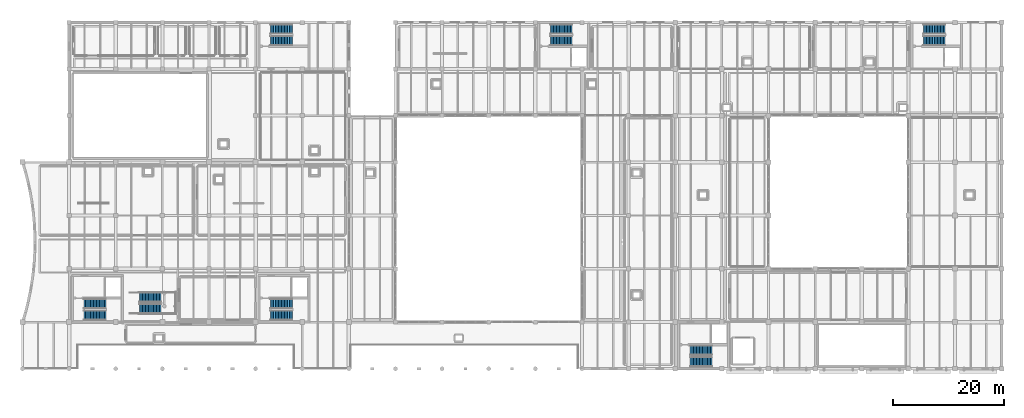
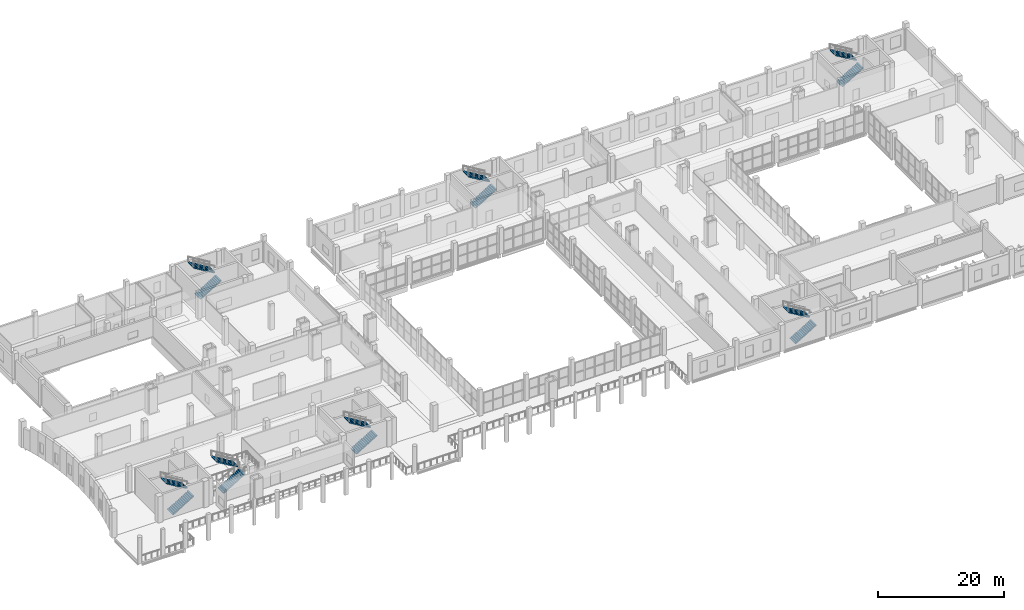
# One storey, part 53 of 66: 14 stair flights, 7 elements without a shape of their own.
"""IFC4 building model written with IfcOpenShell, lengths in metres."""

import ifcopenshell
import ifcopenshell.guid

model = None  # the IFC model being written
_history = None  # IfcOwnerHistory: only IFC2X3 demands one
_inside = {}  # id of a spatial element -> (the spatial element, [elements in it])
_under = {}  # id of a project, library or spatial element -> (it, [spatial elements below it])
_declared = {}  # id of a project -> (the project, [libraries it declares])
_typed = {}  # id of a type object -> (the type object, [elements of that type])
_made_of = {}  # id of a material, layer set ... -> (it, [elements and type objects made of it])


def new_model(schema):
    """Start an empty IFC model of exactly this schema.

    Asked for "IFC4X3", IfcOpenShell would pick the latest addendum, in which some entities
    have other attributes; the version numbers below select the first issue.
    IFC2X3 requires an IfcOwnerHistory on every rooted entity: one is made here for all.
    """
    global model, _history
    if schema == "IFC4X3":
        model = ifcopenshell.file(schema_version=(4, 3, 0, 0))
    else:
        model = ifcopenshell.file(schema=schema)
    _inside.clear()
    _under.clear()
    _declared.clear()
    _typed.clear()
    _made_of.clear()
    _history = None
    if model.schema == "IFC2X3":
        org = make("IfcOrganization", Name="unknown")
        user = make(
            "IfcPersonAndOrganization",
            ThePerson=make("IfcPerson", FamilyName="unknown"),
            TheOrganization=org,
        )
        app = make(
            "IfcApplication",
            ApplicationDeveloper=org,
            Version="unknown",
            ApplicationFullName="unknown",
            ApplicationIdentifier="unknown",
        )
        _history = make(
            "IfcOwnerHistory",
            OwningUser=user,
            OwningApplication=app,
            ChangeAction="ADDED",
            CreationDate=0,
        )
    return model


def make(cls, **values):
    """One entity of the class cls with the attributes given. An attribute that is None is left unset."""
    return model.create_entity(
        cls, **{name: value for name, value in values.items() if value is not None}
    )


def rooted(cls, **values):
    """An entity with a GlobalId (a new one), such as an element, a storey or a relation."""
    return make(cls, GlobalId=ifcopenshell.guid.new(), OwnerHistory=_history, **values)


def si_unit(unit_type, name, prefix=None):
    """IfcSIUnit, for example si_unit("LENGTHUNIT", "METRE", prefix="MILLI")."""
    return make("IfcSIUnit", UnitType=unit_type, Prefix=prefix, Name=name)


def assignment(units):
    """IfcUnitAssignment: the units of a project."""
    return None if units is None else make("IfcUnitAssignment", Units=units)


def point(xyz):
    """IfcCartesianPoint."""
    return None if xyz is None else make("IfcCartesianPoint", Coordinates=xyz)


def direction(xyz):
    """IfcDirection."""
    return None if xyz is None else make("IfcDirection", DirectionRatios=xyz)


def frame(location, z_axis=None, x_axis=None):
    """IfcAxis2Placement3D, a coordinate frame: its origin and axes. An axis left out is left unset."""
    return make(
        "IfcAxis2Placement3D",
        Location=point(location),
        Axis=direction(z_axis),
        RefDirection=direction(x_axis),
    )


def origin():
    """The frame at (0, 0, 0) with its axes left unset."""
    return frame((0.0, 0.0, 0.0))


def place(relative_to, where):
    """IfcLocalPlacement: puts the frame where relative to a parent placement (None: the world)."""
    return make(
        "IfcLocalPlacement", PlacementRelTo=relative_to, RelativePlacement=where
    )


def context(
    kind, dimensions, precision=None, world=None, true_north=None, identifier=None
):
    """IfcGeometricRepresentationContext, for example the 3D "Model" context."""
    return make(
        "IfcGeometricRepresentationContext",
        ContextIdentifier=identifier,
        ContextType=kind,
        CoordinateSpaceDimension=dimensions,
        Precision=precision,
        WorldCoordinateSystem=world,
        TrueNorth=true_north,
    )


def subcontext(parent, identifier, kind, view, scale=None):
    """IfcGeometricRepresentationSubContext, for example "Body" below "Model"."""
    return make(
        "IfcGeometricRepresentationSubContext",
        ContextIdentifier=identifier,
        ContextType=kind,
        ParentContext=parent,
        TargetScale=scale,
        TargetView=view,
    )


def project(units=None, contexts=None):
    """IfcProject with its units and contexts."""
    return rooted(
        "IfcProject",
        Name="project",
        RepresentationContexts=contexts,
        UnitsInContext=assignment(units),
    )


def spatial(cls, under=None, at=None, **own):
    """A site, building, storey or space (cls), placed at a placement, below another one or the project."""
    s = rooted(cls, ObjectPlacement=at, **own)
    if under is not None:
        _under.setdefault(under.id(), (under, []))[1].append(s)
    return s


def polyline(points):
    """IfcPolyline through the points."""
    return make("IfcPolyline", Points=[point(p) for p in points])


def outline(outer, holes=None, kind="AREA"):
    """IfcArbitraryClosedProfileDef: a profile drawn as a closed curve; with holes, ...WithVoids."""
    if holes is None:
        return make("IfcArbitraryClosedProfileDef", ProfileType=kind, OuterCurve=outer)
    return make(
        "IfcArbitraryProfileDefWithVoids",
        ProfileType=kind,
        OuterCurve=outer,
        InnerCurves=holes,
    )


def extrude(swept, where, along, depth):
    """IfcExtrudedAreaSolid: the profile swept, set in the frame where, extruded along a direction by depth."""
    return make(
        "IfcExtrudedAreaSolid",
        SweptArea=swept,
        Position=where,
        ExtrudedDirection=direction(along),
        Depth=depth,
    )


def shape(context_of_items, identifier, shape_type, items):
    """IfcShapeRepresentation: the items that make up one representation, for example the "Body"."""
    return make(
        "IfcShapeRepresentation",
        ContextOfItems=context_of_items,
        RepresentationIdentifier=identifier,
        RepresentationType=shape_type,
        Items=items,
    )


def material(Name=None, Category=None):
    """IfcMaterial."""
    return make("IfcMaterial", Name=Name, Category=Category)


def made_of(thing, what):
    """Note that an element or type object is made of a material, layer set ...; save() writes the relation."""
    if what is not None:
        _made_of.setdefault(what.id(), (what, []))[1].append(thing)
    return thing


def type_object(cls, material=None, **own):
    """A type object (cls), such as IfcWallType, which elements share."""
    return made_of(rooted(cls, **own), material)


def element(
    cls,
    number,
    at=None,
    inside=None,
    cuts=None,
    type_object=None,
    material=None,
    context=None,
    identifier="Body",
    shape_type=None,
    held_by="IfcProductDefinitionShape",
    body=None,
    shapes=None,
    **own,
):
    """One element of the class cls, such as IfcWall. Its Tag is "e" and its number.

    at: its placement. inside: the storey or other place that contains it. cuts: it is an
    opening in that element (IfcRelVoidsElement). A single representation is given by context,
    identifier, shape_type and body (its items); several are given by shapes. held_by: the class
    of the entity that holds the representations. save() writes the other relations.
    """
    e = rooted(cls, Tag="e%d" % number, ObjectPlacement=at, **own)
    if body is not None:
        shapes = [shape(context, identifier, shape_type, body)]
    if shapes is not None:
        e.Representation = make(held_by, Representations=shapes)
    if inside is not None:
        _inside.setdefault(inside.id(), (inside, []))[1].append(e)
    if cuts is not None:
        rooted(
            "IfcRelVoidsElement", RelatingBuildingElement=cuts, RelatedOpeningElement=e
        )
    if type_object is not None:
        _typed.setdefault(type_object.id(), (type_object, []))[1].append(e)
    return made_of(e, material)


def aggregate(whole, parts):
    """IfcRelAggregates: a whole, such as a stair, and the parts it consists of."""
    return rooted("IfcRelAggregates", RelatingObject=whole, RelatedObjects=parts)


def save(model, path):
    """Write the relations noted so far, then the file.

    IfcRelAggregates (storeys below a building ...), IfcRelContainedInSpatialStructure (elements
    in a storey), IfcRelDefinesByType, IfcRelAssociatesMaterial and IfcRelDeclares: one each for
    every whole, place, type object, material and project.
    """
    for whole, parts in _under.values():
        aggregate(whole, parts)
    for where, things in _inside.values():
        rooted(
            "IfcRelContainedInSpatialStructure",
            RelatedElements=things,
            RelatingStructure=where,
        )
    for kind, things in _typed.values():
        rooted("IfcRelDefinesByType", RelatedObjects=things, RelatingType=kind)
    for what, things in _made_of.values():
        rooted("IfcRelAssociatesMaterial", RelatedObjects=things, RelatingMaterial=what)
    for by, libraries in _declared.values():
        rooted("IfcRelDeclares", RelatingContext=by, RelatedDefinitions=libraries)
    model.write(path)


model = new_model("IFC4")

# Units and contexts
model_context = context("Model", 3, precision=1e-05, world=origin(), true_north=direction((0.0, 1.0)))
body_context = subcontext(model_context, "Body", "Model", "MODEL_VIEW")
ifc_project = project(units=[si_unit("LENGTHUNIT", "METRE"), si_unit("AREAUNIT", "SQUARE_METRE"), si_unit("VOLUMEUNIT", "CUBIC_METRE"), si_unit("PLANEANGLEUNIT", "RADIAN"), si_unit("MASSUNIT", "GRAM", prefix="KILO")], contexts=[model_context])

# Site, building, storey
site_placement = place(None, origin())
site = spatial("IfcSite", under=ifc_project, at=site_placement, CompositionType="ELEMENT")
building_placement = place(site_placement, origin())
building = spatial("IfcBuilding", under=site, at=building_placement, Name="Zulmaris Art Gallery", CompositionType="ELEMENT")
storey_placement = place(building_placement, frame((0.0, 0.0, 5.39990234375)))
storey = spatial("IfcBuildingStorey", under=building, at=storey_placement, Name="L01", CompositionType="ELEMENT", Elevation=5.39990234375)

# Stair, stair flights
ifc_material_1 = material(Name="Concrete C40/50", Category="concrete")
stair_type_1 = type_object("IfcStairType", Name="STAIR-CORE", PredefinedType="HALF_TURN_STAIR", material=ifc_material_1)
stair_1_placement = place(storey_placement, origin())
stair_1 = element("IfcStair", 1, at=stair_1_placement, inside=storey, type_object=stair_type_1, Name="L01 Exit Stair ST1", PredefinedType="HALF_TURN_STAIR")
stair_flight_type_1 = type_object("IfcStairFlightType", Name="STFLT-CORE", PredefinedType="STRAIGHT", material=ifc_material_1)
stair_flight_1_placement = place(storey_placement, frame((35.10009765625, 22.824951171875, 0.0), z_axis=(0.0, 0.0, 1.0), x_axis=(1.0, 0.0, 0.0)))
stair_flight_1 = element("IfcStairFlight", 2, at=stair_flight_1_placement, type_object=stair_flight_type_1, Name="ST1 flight 1", NumberOfRisers=15, NumberOfTreads=14, PredefinedType="STRAIGHT", RiserHeight=0.17, TreadLength=0.28, context=body_context, shape_type="SweptSolid", body=[
    extrude(outline(polyline([(0.0, 0.0), (0.0, 0.169921875), (0.280029296875, 0.169921875), (0.280029296875, 0.340087890625), (0.56005859375, 0.340087890625), (0.56005859375, 0.510009765625), (0.840087890625, 0.510009765625), (0.840087890625, 0.679931640625), (1.1201171875, 0.679931640625), (1.1201171875, 0.85009765625), (1.39990234375, 0.85009765625), (1.39990234375, 1.02001953125), (1.679931640625, 1.02001953125), (1.679931640625, 1.18994140625), (1.9599609375, 1.18994140625), (1.9599609375, 1.360107421875), (2.239990234375, 1.360107421875), (2.239990234375, 1.530029296875), (2.52001953125, 1.530029296875), (2.52001953125, 1.699951171875), (2.800048828125, 1.699951171875), (2.800048828125, 1.8701171875), (3.080078125, 1.8701171875), (3.080078125, 2.0400390625), (3.360107421875, 2.0400390625), (3.360107421875, 2.2099609375), (3.639892578125, 2.2099609375), (3.639892578125, 2.3798828125), (3.919921875, 2.3798828125), (3.919921875, 2.550048828125), (3.919921875, 2.20458984375), (0.288818359375, 0.0), (0.0, 0.0)])), frame((0.0, 0.875, 0.0), z_axis=(0.0, -1.0, 0.0), x_axis=(1.0, 0.0, 0.0)), (0.0, 0.0, 1.0), 1.75),
])
stair_flight_2_placement = place(storey_placement, frame((39.02001953125, 24.9150390625, 2.550048828125), z_axis=(0.0, 0.0, 1.0), x_axis=(-1.0, 0.0, 0.0)))
stair_flight_2 = element("IfcStairFlight", 3, at=stair_flight_2_placement, type_object=stair_flight_type_1, Name="ST1 flight 2", NumberOfRisers=15, NumberOfTreads=14, PredefinedType="STRAIGHT", RiserHeight=0.17, TreadLength=0.28, context=body_context, shape_type="SweptSolid", body=[
    extrude(outline(polyline([(0.0, 0.0), (0.0, 0.169921875), (0.280029296875, 0.169921875), (0.280029296875, 0.340087890625), (0.56005859375, 0.340087890625), (0.56005859375, 0.510009765625), (0.840087890625, 0.510009765625), (0.840087890625, 0.679931640625), (1.1201171875, 0.679931640625), (1.1201171875, 0.85009765625), (1.39990234375, 0.85009765625), (1.39990234375, 1.02001953125), (1.679931640625, 1.02001953125), (1.679931640625, 1.18994140625), (1.9599609375, 1.18994140625), (1.9599609375, 1.360107421875), (2.239990234375, 1.360107421875), (2.239990234375, 1.530029296875), (2.52001953125, 1.530029296875), (2.52001953125, 1.699951171875), (2.800048828125, 1.699951171875), (2.800048828125, 1.8701171875), (3.080078125, 1.8701171875), (3.080078125, 2.0400390625), (3.360107421875, 2.0400390625), (3.360107421875, 2.2099609375), (3.639892578125, 2.2099609375), (3.639892578125, 2.3798828125), (3.919921875, 2.3798828125), (3.919921875, 2.550048828125), (3.919921875, 2.20458984375), (0.288818359375, 0.0), (0.0, 0.0)])), frame((0.0, 0.875, 0.0), z_axis=(0.0, -1.0, 0.0), x_axis=(1.0, 0.0, 0.0)), (0.0, 0.0, 1.0), 1.75),
])
aggregate(stair_1, [stair_flight_1, stair_flight_2])

stair_2_placement = place(storey_placement, origin())
stair_2 = element("IfcStair", 4, at=stair_2_placement, inside=storey, type_object=stair_type_1, Name="L01 Exit Stair ST2", PredefinedType="HALF_TURN_STAIR")
stair_flight_3_placement = place(storey_placement, frame((68.699951171875, 22.824951171875, 0.0), z_axis=(0.0, 0.0, 1.0), x_axis=(1.0, 0.0, 0.0)))
stair_flight_3 = element("IfcStairFlight", 5, at=stair_flight_3_placement, type_object=stair_flight_type_1, Name="ST2 flight 1", NumberOfRisers=15, NumberOfTreads=14, PredefinedType="STRAIGHT", RiserHeight=0.17, TreadLength=0.28, context=body_context, shape_type="SweptSolid", body=[
    extrude(outline(polyline([(0.0, 0.0), (0.0, 0.169921875), (0.280029296875, 0.169921875), (0.280029296875, 0.340087890625), (0.56005859375, 0.340087890625), (0.56005859375, 0.510009765625), (0.840087890625, 0.510009765625), (0.840087890625, 0.679931640625), (1.1201171875, 0.679931640625), (1.1201171875, 0.85009765625), (1.39990234375, 0.85009765625), (1.39990234375, 1.02001953125), (1.679931640625, 1.02001953125), (1.679931640625, 1.18994140625), (1.9599609375, 1.18994140625), (1.9599609375, 1.360107421875), (2.239990234375, 1.360107421875), (2.239990234375, 1.530029296875), (2.52001953125, 1.530029296875), (2.52001953125, 1.699951171875), (2.800048828125, 1.699951171875), (2.800048828125, 1.8701171875), (3.080078125, 1.8701171875), (3.080078125, 2.0400390625), (3.360107421875, 2.0400390625), (3.360107421875, 2.2099609375), (3.639892578125, 2.2099609375), (3.639892578125, 2.3798828125), (3.919921875, 2.3798828125), (3.919921875, 2.550048828125), (3.919921875, 2.20458984375), (0.288818359375, 0.0), (0.0, 0.0)])), frame((0.0, 0.875, 0.0), z_axis=(0.0, -1.0, 0.0), x_axis=(1.0, 0.0, 0.0)), (0.0, 0.0, 1.0), 1.75),
])
stair_flight_4_placement = place(storey_placement, frame((72.6201171875, 24.9150390625, 2.550048828125), z_axis=(0.0, 0.0, 1.0), x_axis=(-1.0, 0.0, 0.0)))
stair_flight_4 = element("IfcStairFlight", 6, at=stair_flight_4_placement, type_object=stair_flight_type_1, Name="ST2 flight 2", NumberOfRisers=15, NumberOfTreads=14, PredefinedType="STRAIGHT", RiserHeight=0.17, TreadLength=0.28, context=body_context, shape_type="SweptSolid", body=[
    extrude(outline(polyline([(0.0, 0.0), (0.0, 0.169921875), (0.280029296875, 0.169921875), (0.280029296875, 0.340087890625), (0.56005859375, 0.340087890625), (0.56005859375, 0.510009765625), (0.840087890625, 0.510009765625), (0.840087890625, 0.679931640625), (1.1201171875, 0.679931640625), (1.1201171875, 0.85009765625), (1.39990234375, 0.85009765625), (1.39990234375, 1.02001953125), (1.679931640625, 1.02001953125), (1.679931640625, 1.18994140625), (1.9599609375, 1.18994140625), (1.9599609375, 1.360107421875), (2.239990234375, 1.360107421875), (2.239990234375, 1.530029296875), (2.52001953125, 1.530029296875), (2.52001953125, 1.699951171875), (2.800048828125, 1.699951171875), (2.800048828125, 1.8701171875), (3.080078125, 1.8701171875), (3.080078125, 2.0400390625), (3.360107421875, 2.0400390625), (3.360107421875, 2.2099609375), (3.639892578125, 2.2099609375), (3.639892578125, 2.3798828125), (3.919921875, 2.3798828125), (3.919921875, 2.550048828125), (3.919921875, 2.20458984375), (0.288818359375, 0.0), (0.0, 0.0)])), frame((0.0, 0.875, 0.0), z_axis=(0.0, -1.0, 0.0), x_axis=(1.0, 0.0, 0.0)), (0.0, 0.0, 1.0), 1.75),
])
aggregate(stair_2, [stair_flight_3, stair_flight_4])

stair_3_placement = place(storey_placement, origin())
stair_3 = element("IfcStair", 7, at=stair_3_placement, inside=storey, type_object=stair_type_1, Name="L01 Exit Stair ST3", PredefinedType="HALF_TURN_STAIR")
stair_flight_5_placement = place(storey_placement, frame((144.300048828125, 14.425048828125, 0.0), z_axis=(0.0, 0.0, 1.0), x_axis=(1.0, 0.0, 0.0)))
stair_flight_5 = element("IfcStairFlight", 8, at=stair_flight_5_placement, type_object=stair_flight_type_1, Name="ST3 flight 1", NumberOfRisers=15, NumberOfTreads=14, PredefinedType="STRAIGHT", RiserHeight=0.17, TreadLength=0.28, context=body_context, shape_type="SweptSolid", body=[
    extrude(outline(polyline([(0.0, 0.0), (0.0, 0.169921875), (0.280029296875, 0.169921875), (0.280029296875, 0.340087890625), (0.56005859375, 0.340087890625), (0.56005859375, 0.510009765625), (0.840087890625, 0.510009765625), (0.840087890625, 0.679931640625), (1.1201171875, 0.679931640625), (1.1201171875, 0.85009765625), (1.39990234375, 0.85009765625), (1.39990234375, 1.02001953125), (1.679931640625, 1.02001953125), (1.679931640625, 1.18994140625), (1.9599609375, 1.18994140625), (1.9599609375, 1.360107421875), (2.239990234375, 1.360107421875), (2.239990234375, 1.530029296875), (2.52001953125, 1.530029296875), (2.52001953125, 1.699951171875), (2.800048828125, 1.699951171875), (2.800048828125, 1.8701171875), (3.080078125, 1.8701171875), (3.080078125, 2.0400390625), (3.360107421875, 2.0400390625), (3.360107421875, 2.2099609375), (3.639892578125, 2.2099609375), (3.639892578125, 2.3798828125), (3.919921875, 2.3798828125), (3.919921875, 2.550048828125), (3.919921875, 2.20458984375), (0.288818359375, 0.0), (0.0, 0.0)])), frame((0.0, 0.875, 0.0), z_axis=(0.0, -1.0, 0.0), x_axis=(1.0, 0.0, 0.0)), (0.0, 0.0, 1.0), 1.75),
])
stair_flight_6_placement = place(storey_placement, frame((148.219970703125, 16.514892578125, 2.550048828125), z_axis=(0.0, 0.0, 1.0), x_axis=(-1.0, 0.0, 0.0)))
stair_flight_6 = element("IfcStairFlight", 9, at=stair_flight_6_placement, type_object=stair_flight_type_1, Name="ST3 flight 2", NumberOfRisers=15, NumberOfTreads=14, PredefinedType="STRAIGHT", RiserHeight=0.17, TreadLength=0.28, context=body_context, shape_type="SweptSolid", body=[
    extrude(outline(polyline([(0.0, 0.0), (0.0, 0.169921875), (0.280029296875, 0.169921875), (0.280029296875, 0.340087890625), (0.56005859375, 0.340087890625), (0.56005859375, 0.510009765625), (0.840087890625, 0.510009765625), (0.840087890625, 0.679931640625), (1.1201171875, 0.679931640625), (1.1201171875, 0.85009765625), (1.39990234375, 0.85009765625), (1.39990234375, 1.02001953125), (1.679931640625, 1.02001953125), (1.679931640625, 1.18994140625), (1.9599609375, 1.18994140625), (1.9599609375, 1.360107421875), (2.239990234375, 1.360107421875), (2.239990234375, 1.530029296875), (2.52001953125, 1.530029296875), (2.52001953125, 1.699951171875), (2.800048828125, 1.699951171875), (2.800048828125, 1.8701171875), (3.080078125, 1.8701171875), (3.080078125, 2.0400390625), (3.360107421875, 2.0400390625), (3.360107421875, 2.2099609375), (3.639892578125, 2.2099609375), (3.639892578125, 2.3798828125), (3.919921875, 2.3798828125), (3.919921875, 2.550048828125), (3.919921875, 2.20458984375), (0.288818359375, 0.0), (0.0, 0.0)])), frame((0.0, 0.875, 0.0), z_axis=(0.0, -1.0, 0.0), x_axis=(1.0, 0.0, 0.0)), (0.0, 0.0, 1.0), 1.75),
])
aggregate(stair_3, [stair_flight_5, stair_flight_6])

stair_4_placement = place(storey_placement, origin())
stair_4 = element("IfcStair", 10, at=stair_4_placement, inside=storey, type_object=stair_type_1, Name="L01 Exit Stair ST4", PredefinedType="HALF_TURN_STAIR")
stair_flight_7_placement = place(storey_placement, frame((186.300048828125, 72.284912109375, 0.0), z_axis=(0.0, 0.0, 1.0), x_axis=(1.0, 0.0, 0.0)))
stair_flight_7 = element("IfcStairFlight", 11, at=stair_flight_7_placement, type_object=stair_flight_type_1, Name="ST4 flight 1", NumberOfRisers=15, NumberOfTreads=14, PredefinedType="STRAIGHT", RiserHeight=0.17, TreadLength=0.28, context=body_context, shape_type="SweptSolid", body=[
    extrude(outline(polyline([(0.0, 0.0), (0.0, 0.169921875), (0.280029296875, 0.169921875), (0.280029296875, 0.340087890625), (0.56005859375, 0.340087890625), (0.56005859375, 0.510009765625), (0.840087890625, 0.510009765625), (0.840087890625, 0.679931640625), (1.1201171875, 0.679931640625), (1.1201171875, 0.85009765625), (1.39990234375, 0.85009765625), (1.39990234375, 1.02001953125), (1.679931640625, 1.02001953125), (1.679931640625, 1.18994140625), (1.9599609375, 1.18994140625), (1.9599609375, 1.360107421875), (2.239990234375, 1.360107421875), (2.239990234375, 1.530029296875), (2.52001953125, 1.530029296875), (2.52001953125, 1.699951171875), (2.800048828125, 1.699951171875), (2.800048828125, 1.8701171875), (3.080078125, 1.8701171875), (3.080078125, 2.0400390625), (3.360107421875, 2.0400390625), (3.360107421875, 2.2099609375), (3.639892578125, 2.2099609375), (3.639892578125, 2.3798828125), (3.919921875, 2.3798828125), (3.919921875, 2.550048828125), (3.919921875, 2.20458984375), (0.288818359375, 0.0), (0.0, 0.0)])), frame((0.0, 0.875, 0.0), z_axis=(0.0, -1.0, 0.0), x_axis=(1.0, 0.0, 0.0)), (0.0, 0.0, 1.0), 1.75),
])
stair_flight_8_placement = place(storey_placement, frame((190.219970703125, 74.375, 2.550048828125), z_axis=(0.0, 0.0, 1.0), x_axis=(-1.0, 0.0, 0.0)))
stair_flight_8 = element("IfcStairFlight", 12, at=stair_flight_8_placement, type_object=stair_flight_type_1, Name="ST4 flight 2", NumberOfRisers=15, NumberOfTreads=14, PredefinedType="STRAIGHT", RiserHeight=0.17, TreadLength=0.28, context=body_context, shape_type="SweptSolid", body=[
    extrude(outline(polyline([(0.0, 0.0), (0.0, 0.169921875), (0.280029296875, 0.169921875), (0.280029296875, 0.340087890625), (0.56005859375, 0.340087890625), (0.56005859375, 0.510009765625), (0.840087890625, 0.510009765625), (0.840087890625, 0.679931640625), (1.1201171875, 0.679931640625), (1.1201171875, 0.85009765625), (1.39990234375, 0.85009765625), (1.39990234375, 1.02001953125), (1.679931640625, 1.02001953125), (1.679931640625, 1.18994140625), (1.9599609375, 1.18994140625), (1.9599609375, 1.360107421875), (2.239990234375, 1.360107421875), (2.239990234375, 1.530029296875), (2.52001953125, 1.530029296875), (2.52001953125, 1.699951171875), (2.800048828125, 1.699951171875), (2.800048828125, 1.8701171875), (3.080078125, 1.8701171875), (3.080078125, 2.0400390625), (3.360107421875, 2.0400390625), (3.360107421875, 2.2099609375), (3.639892578125, 2.2099609375), (3.639892578125, 2.3798828125), (3.919921875, 2.3798828125), (3.919921875, 2.550048828125), (3.919921875, 2.20458984375), (0.288818359375, 0.0), (0.0, 0.0)])), frame((0.0, 0.875, 0.0), z_axis=(0.0, -1.0, 0.0), x_axis=(1.0, 0.0, 0.0)), (0.0, 0.0, 1.0), 1.75),
])
aggregate(stair_4, [stair_flight_7, stair_flight_8])

stair_5_placement = place(storey_placement, origin())
stair_5 = element("IfcStair", 13, at=stair_5_placement, inside=storey, type_object=stair_type_1, Name="L01 Exit Stair ST5", PredefinedType="HALF_TURN_STAIR")
stair_flight_9_placement = place(storey_placement, frame((119.10009765625, 72.284912109375, 0.0), z_axis=(0.0, 0.0, 1.0), x_axis=(1.0, 0.0, 0.0)))
stair_flight_9 = element("IfcStairFlight", 14, at=stair_flight_9_placement, type_object=stair_flight_type_1, Name="ST5 flight 1", NumberOfRisers=15, NumberOfTreads=14, PredefinedType="STRAIGHT", RiserHeight=0.17, TreadLength=0.28, context=body_context, shape_type="SweptSolid", body=[
    extrude(outline(polyline([(0.0, 0.0), (0.0, 0.169921875), (0.280029296875, 0.169921875), (0.280029296875, 0.340087890625), (0.56005859375, 0.340087890625), (0.56005859375, 0.510009765625), (0.840087890625, 0.510009765625), (0.840087890625, 0.679931640625), (1.1201171875, 0.679931640625), (1.1201171875, 0.85009765625), (1.39990234375, 0.85009765625), (1.39990234375, 1.02001953125), (1.679931640625, 1.02001953125), (1.679931640625, 1.18994140625), (1.9599609375, 1.18994140625), (1.9599609375, 1.360107421875), (2.239990234375, 1.360107421875), (2.239990234375, 1.530029296875), (2.52001953125, 1.530029296875), (2.52001953125, 1.699951171875), (2.800048828125, 1.699951171875), (2.800048828125, 1.8701171875), (3.080078125, 1.8701171875), (3.080078125, 2.0400390625), (3.360107421875, 2.0400390625), (3.360107421875, 2.2099609375), (3.639892578125, 2.2099609375), (3.639892578125, 2.3798828125), (3.919921875, 2.3798828125), (3.919921875, 2.550048828125), (3.919921875, 2.20458984375), (0.288818359375, 0.0), (0.0, 0.0)])), frame((0.0, 0.875, 0.0), z_axis=(0.0, -1.0, 0.0), x_axis=(1.0, 0.0, 0.0)), (0.0, 0.0, 1.0), 1.75),
])
stair_flight_10_placement = place(storey_placement, frame((123.02001953125, 74.375, 2.550048828125), z_axis=(0.0, 0.0, 1.0), x_axis=(-1.0, 0.0, 0.0)))
stair_flight_10 = element("IfcStairFlight", 15, at=stair_flight_10_placement, type_object=stair_flight_type_1, Name="ST5 flight 2", NumberOfRisers=15, NumberOfTreads=14, PredefinedType="STRAIGHT", RiserHeight=0.17, TreadLength=0.28, context=body_context, shape_type="SweptSolid", body=[
    extrude(outline(polyline([(0.0, 0.0), (0.0, 0.169921875), (0.280029296875, 0.169921875), (0.280029296875, 0.340087890625), (0.56005859375, 0.340087890625), (0.56005859375, 0.510009765625), (0.840087890625, 0.510009765625), (0.840087890625, 0.679931640625), (1.1201171875, 0.679931640625), (1.1201171875, 0.85009765625), (1.39990234375, 0.85009765625), (1.39990234375, 1.02001953125), (1.679931640625, 1.02001953125), (1.679931640625, 1.18994140625), (1.9599609375, 1.18994140625), (1.9599609375, 1.360107421875), (2.239990234375, 1.360107421875), (2.239990234375, 1.530029296875), (2.52001953125, 1.530029296875), (2.52001953125, 1.699951171875), (2.800048828125, 1.699951171875), (2.800048828125, 1.8701171875), (3.080078125, 1.8701171875), (3.080078125, 2.0400390625), (3.360107421875, 2.0400390625), (3.360107421875, 2.2099609375), (3.639892578125, 2.2099609375), (3.639892578125, 2.3798828125), (3.919921875, 2.3798828125), (3.919921875, 2.550048828125), (3.919921875, 2.20458984375), (0.288818359375, 0.0), (0.0, 0.0)])), frame((0.0, 0.875, 0.0), z_axis=(0.0, -1.0, 0.0), x_axis=(1.0, 0.0, 0.0)), (0.0, 0.0, 1.0), 1.75),
])
aggregate(stair_5, [stair_flight_9, stair_flight_10])

stair_6_placement = place(storey_placement, origin())
stair_6 = element("IfcStair", 16, at=stair_6_placement, inside=storey, type_object=stair_type_1, Name="L01 Exit Stair ST7", PredefinedType="HALF_TURN_STAIR")
stair_flight_11_placement = place(storey_placement, frame((68.699951171875, 72.284912109375, 0.0), z_axis=(0.0, 0.0, 1.0), x_axis=(1.0, 0.0, 0.0)))
stair_flight_11 = element("IfcStairFlight", 17, at=stair_flight_11_placement, type_object=stair_flight_type_1, Name="ST7 flight 1", NumberOfRisers=15, NumberOfTreads=14, PredefinedType="STRAIGHT", RiserHeight=0.17, TreadLength=0.28, context=body_context, shape_type="SweptSolid", body=[
    extrude(outline(polyline([(0.0, 0.0), (0.0, 0.169921875), (0.280029296875, 0.169921875), (0.280029296875, 0.340087890625), (0.56005859375, 0.340087890625), (0.56005859375, 0.510009765625), (0.840087890625, 0.510009765625), (0.840087890625, 0.679931640625), (1.1201171875, 0.679931640625), (1.1201171875, 0.85009765625), (1.39990234375, 0.85009765625), (1.39990234375, 1.02001953125), (1.679931640625, 1.02001953125), (1.679931640625, 1.18994140625), (1.9599609375, 1.18994140625), (1.9599609375, 1.360107421875), (2.239990234375, 1.360107421875), (2.239990234375, 1.530029296875), (2.52001953125, 1.530029296875), (2.52001953125, 1.699951171875), (2.800048828125, 1.699951171875), (2.800048828125, 1.8701171875), (3.080078125, 1.8701171875), (3.080078125, 2.0400390625), (3.360107421875, 2.0400390625), (3.360107421875, 2.2099609375), (3.639892578125, 2.2099609375), (3.639892578125, 2.3798828125), (3.919921875, 2.3798828125), (3.919921875, 2.550048828125), (3.919921875, 2.20458984375), (0.288818359375, 0.0), (0.0, 0.0)])), frame((0.0, 0.875, 0.0), z_axis=(0.0, -1.0, 0.0), x_axis=(1.0, 0.0, 0.0)), (0.0, 0.0, 1.0), 1.75),
])
stair_flight_12_placement = place(storey_placement, frame((72.6201171875, 74.375, 2.550048828125), z_axis=(0.0, 0.0, 1.0), x_axis=(-1.0, 0.0, 0.0)))
stair_flight_12 = element("IfcStairFlight", 18, at=stair_flight_12_placement, type_object=stair_flight_type_1, Name="ST7 flight 2", NumberOfRisers=15, NumberOfTreads=14, PredefinedType="STRAIGHT", RiserHeight=0.17, TreadLength=0.28, context=body_context, shape_type="SweptSolid", body=[
    extrude(outline(polyline([(0.0, 0.0), (0.0, 0.169921875), (0.280029296875, 0.169921875), (0.280029296875, 0.340087890625), (0.56005859375, 0.340087890625), (0.56005859375, 0.510009765625), (0.840087890625, 0.510009765625), (0.840087890625, 0.679931640625), (1.1201171875, 0.679931640625), (1.1201171875, 0.85009765625), (1.39990234375, 0.85009765625), (1.39990234375, 1.02001953125), (1.679931640625, 1.02001953125), (1.679931640625, 1.18994140625), (1.9599609375, 1.18994140625), (1.9599609375, 1.360107421875), (2.239990234375, 1.360107421875), (2.239990234375, 1.530029296875), (2.52001953125, 1.530029296875), (2.52001953125, 1.699951171875), (2.800048828125, 1.699951171875), (2.800048828125, 1.8701171875), (3.080078125, 1.8701171875), (3.080078125, 2.0400390625), (3.360107421875, 2.0400390625), (3.360107421875, 2.2099609375), (3.639892578125, 2.2099609375), (3.639892578125, 2.3798828125), (3.919921875, 2.3798828125), (3.919921875, 2.550048828125), (3.919921875, 2.20458984375), (0.288818359375, 0.0), (0.0, 0.0)])), frame((0.0, 0.875, 0.0), z_axis=(0.0, -1.0, 0.0), x_axis=(1.0, 0.0, 0.0)), (0.0, 0.0, 1.0), 1.75),
])
aggregate(stair_6, [stair_flight_11, stair_flight_12])

ifc_material_2 = material(Name="Precast concrete C40/50", Category="concrete")
stair_type_2 = type_object("IfcStairType", Name="STAIR-FEAT", PredefinedType="HALF_TURN_STAIR", material=ifc_material_2)
stair_7_placement = place(storey_placement, origin())
stair_7 = element("IfcStair", 19, at=stair_7_placement, inside=storey, type_object=stair_type_2, Name="L01 Grand Gallery Stair ST6", PredefinedType="HALF_TURN_STAIR")
stair_flight_type_2 = type_object("IfcStairFlightType", Name="STFLT-FEAT", PredefinedType="STRAIGHT", material=ifc_material_2)
stair_flight_13_placement = place(storey_placement, frame((45.050048828125, 23.97509765625, 0.0), z_axis=(0.0, 0.0, 1.0), x_axis=(1.0, 0.0, 0.0)))
stair_flight_13 = element("IfcStairFlight", 20, at=stair_flight_13_placement, type_object=stair_flight_type_2, Name="ST6 flight 1", NumberOfRisers=15, NumberOfTreads=14, PredefinedType="STRAIGHT", RiserHeight=0.17, TreadLength=0.28, context=body_context, shape_type="SweptSolid", body=[
    extrude(outline(polyline([(0.0, 0.0), (0.0, 0.169921875), (0.280029296875, 0.169921875), (0.280029296875, 0.340087890625), (0.56005859375, 0.340087890625), (0.56005859375, 0.510009765625), (0.840087890625, 0.510009765625), (0.840087890625, 0.679931640625), (1.1201171875, 0.679931640625), (1.1201171875, 0.85009765625), (1.39990234375, 0.85009765625), (1.39990234375, 1.02001953125), (1.679931640625, 1.02001953125), (1.679931640625, 1.18994140625), (1.9599609375, 1.18994140625), (1.9599609375, 1.360107421875), (2.239990234375, 1.360107421875), (2.239990234375, 1.530029296875), (2.52001953125, 1.530029296875), (2.52001953125, 1.699951171875), (2.800048828125, 1.699951171875), (2.800048828125, 1.8701171875), (3.080078125, 1.8701171875), (3.080078125, 2.0400390625), (3.360107421875, 2.0400390625), (3.360107421875, 2.2099609375), (3.639892578125, 2.2099609375), (3.639892578125, 2.3798828125), (3.919921875, 2.3798828125), (3.919921875, 2.550048828125), (3.919921875, 2.20458984375), (0.288818359375, 0.0), (0.0, 0.0)])), frame((0.0, 0.875, 0.0), z_axis=(0.0, -1.0, 0.0), x_axis=(1.0, 0.0, 0.0)), (0.0, 0.0, 1.0), 1.75),
])
stair_flight_14_placement = place(storey_placement, frame((48.969970703125, 26.06494140625, 2.550048828125), z_axis=(0.0, 0.0, 1.0), x_axis=(-1.0, 0.0, 0.0)))
stair_flight_14 = element("IfcStairFlight", 21, at=stair_flight_14_placement, type_object=stair_flight_type_2, Name="ST6 flight 2", NumberOfRisers=15, NumberOfTreads=14, PredefinedType="STRAIGHT", RiserHeight=0.17, TreadLength=0.28, context=body_context, shape_type="SweptSolid", body=[
    extrude(outline(polyline([(0.0, 0.0), (0.0, 0.169921875), (0.280029296875, 0.169921875), (0.280029296875, 0.340087890625), (0.56005859375, 0.340087890625), (0.56005859375, 0.510009765625), (0.840087890625, 0.510009765625), (0.840087890625, 0.679931640625), (1.1201171875, 0.679931640625), (1.1201171875, 0.85009765625), (1.39990234375, 0.85009765625), (1.39990234375, 1.02001953125), (1.679931640625, 1.02001953125), (1.679931640625, 1.18994140625), (1.9599609375, 1.18994140625), (1.9599609375, 1.360107421875), (2.239990234375, 1.360107421875), (2.239990234375, 1.530029296875), (2.52001953125, 1.530029296875), (2.52001953125, 1.699951171875), (2.800048828125, 1.699951171875), (2.800048828125, 1.8701171875), (3.080078125, 1.8701171875), (3.080078125, 2.0400390625), (3.360107421875, 2.0400390625), (3.360107421875, 2.2099609375), (3.639892578125, 2.2099609375), (3.639892578125, 2.3798828125), (3.919921875, 2.3798828125), (3.919921875, 2.550048828125), (3.919921875, 2.20458984375), (0.288818359375, 0.0), (0.0, 0.0)])), frame((0.0, 0.875, 0.0), z_axis=(0.0, -1.0, 0.0), x_axis=(1.0, 0.0, 0.0)), (0.0, 0.0, 1.0), 1.75),
])
aggregate(stair_7, [stair_flight_13, stair_flight_14])

save(model, "model.ifc")
